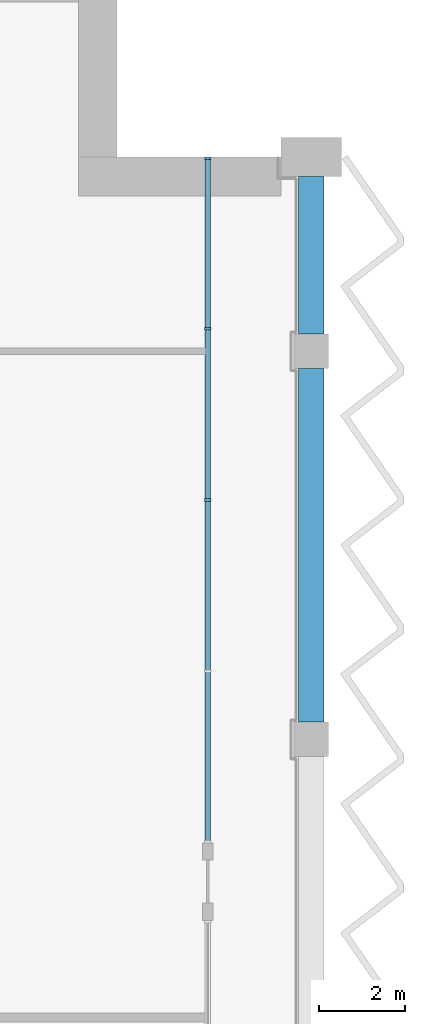
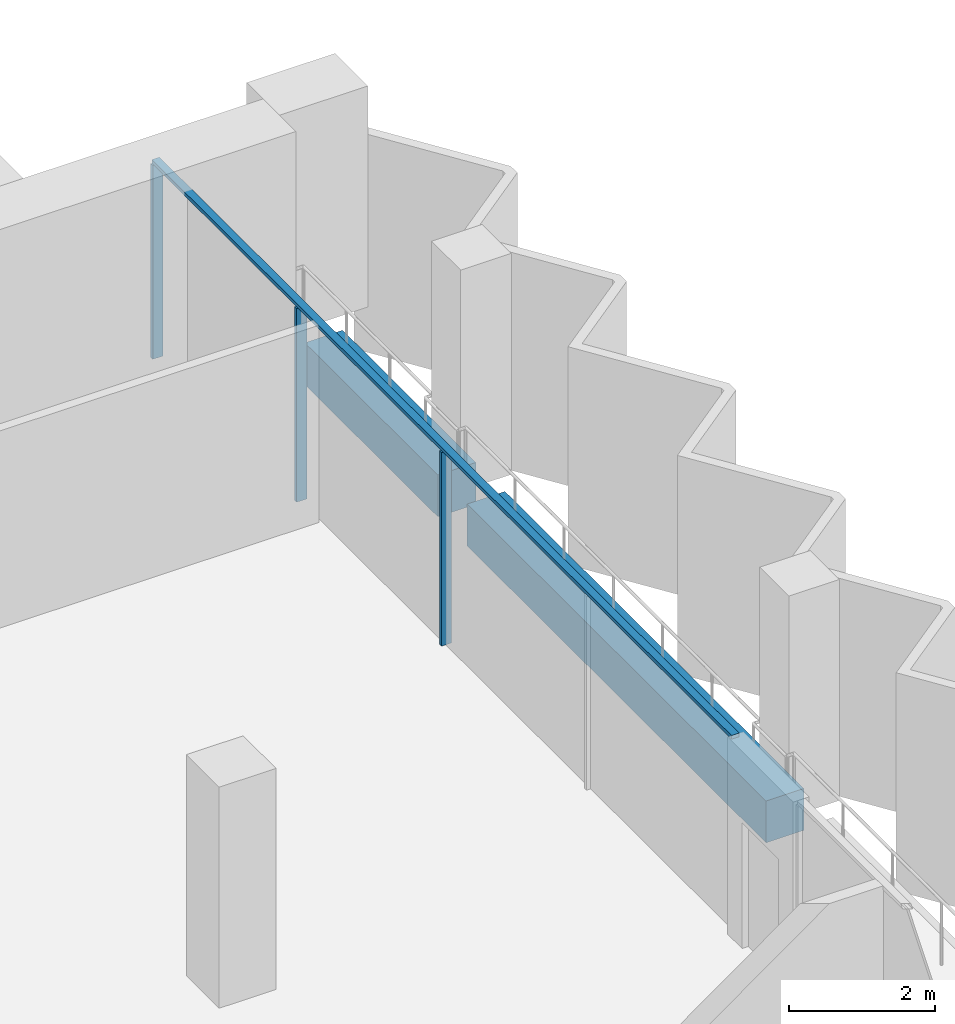
# One storey, part 5 of 14: 4 members, 2 beams, 1 element without a shape of its own.
"""IFC4 building model written with IfcOpenShell, lengths in metres."""

import ifcopenshell
import ifcopenshell.guid

model = None  # the IFC model being written
_history = None  # IfcOwnerHistory: only IFC2X3 demands one
_inside = {}  # id of a spatial element -> (the spatial element, [elements in it])
_under = {}  # id of a project, library or spatial element -> (it, [spatial elements below it])
_declared = {}  # id of a project -> (the project, [libraries it declares])
_typed = {}  # id of a type object -> (the type object, [elements of that type])
_made_of = {}  # id of a material, layer set ... -> (it, [elements and type objects made of it])


def new_model(schema):
    """Start an empty IFC model of exactly this schema.

    Asked for "IFC4X3", IfcOpenShell would pick the latest addendum, in which some entities
    have other attributes; the version numbers below select the first issue.
    IFC2X3 requires an IfcOwnerHistory on every rooted entity: one is made here for all.
    """
    global model, _history
    if schema == "IFC4X3":
        model = ifcopenshell.file(schema_version=(4, 3, 0, 0))
    else:
        model = ifcopenshell.file(schema=schema)
    _inside.clear()
    _under.clear()
    _declared.clear()
    _typed.clear()
    _made_of.clear()
    _history = None
    if model.schema == "IFC2X3":
        org = make("IfcOrganization", Name="unknown")
        user = make(
            "IfcPersonAndOrganization",
            ThePerson=make("IfcPerson", FamilyName="unknown"),
            TheOrganization=org,
        )
        app = make(
            "IfcApplication",
            ApplicationDeveloper=org,
            Version="unknown",
            ApplicationFullName="unknown",
            ApplicationIdentifier="unknown",
        )
        _history = make(
            "IfcOwnerHistory",
            OwningUser=user,
            OwningApplication=app,
            ChangeAction="ADDED",
            CreationDate=0,
        )
    return model


def make(cls, **values):
    """One entity of the class cls with the attributes given. An attribute that is None is left unset."""
    return model.create_entity(
        cls, **{name: value for name, value in values.items() if value is not None}
    )


def rooted(cls, **values):
    """An entity with a GlobalId (a new one), such as an element, a storey or a relation."""
    return make(cls, GlobalId=ifcopenshell.guid.new(), OwnerHistory=_history, **values)


def si_unit(unit_type, name, prefix=None):
    """IfcSIUnit, for example si_unit("LENGTHUNIT", "METRE", prefix="MILLI")."""
    return make("IfcSIUnit", UnitType=unit_type, Prefix=prefix, Name=name)


def assignment(units):
    """IfcUnitAssignment: the units of a project."""
    return None if units is None else make("IfcUnitAssignment", Units=units)


def point(xyz):
    """IfcCartesianPoint."""
    return None if xyz is None else make("IfcCartesianPoint", Coordinates=xyz)


def direction(xyz):
    """IfcDirection."""
    return None if xyz is None else make("IfcDirection", DirectionRatios=xyz)


def frame(location, z_axis=None, x_axis=None):
    """IfcAxis2Placement3D, a coordinate frame: its origin and axes. An axis left out is left unset."""
    return make(
        "IfcAxis2Placement3D",
        Location=point(location),
        Axis=direction(z_axis),
        RefDirection=direction(x_axis),
    )


def frame_2d(location, x_axis=None):
    """IfcAxis2Placement2D, a coordinate frame in the plane: its origin and x axis."""
    return make(
        "IfcAxis2Placement2D", Location=point(location), RefDirection=direction(x_axis)
    )


def origin():
    """The frame at (0, 0, 0) with its axes left unset."""
    return frame((0.0, 0.0, 0.0))


def origin_2d():
    """The frame at (0, 0) in the plane with its x axis left unset."""
    return frame_2d((0.0, 0.0))


def place(relative_to, where):
    """IfcLocalPlacement: puts the frame where relative to a parent placement (None: the world)."""
    return make(
        "IfcLocalPlacement", PlacementRelTo=relative_to, RelativePlacement=where
    )


def context(
    kind, dimensions, precision=None, world=None, true_north=None, identifier=None
):
    """IfcGeometricRepresentationContext, for example the 3D "Model" context."""
    return make(
        "IfcGeometricRepresentationContext",
        ContextIdentifier=identifier,
        ContextType=kind,
        CoordinateSpaceDimension=dimensions,
        Precision=precision,
        WorldCoordinateSystem=world,
        TrueNorth=true_north,
    )


def subcontext(parent, identifier, kind, view, scale=None):
    """IfcGeometricRepresentationSubContext, for example "Body" below "Model"."""
    return make(
        "IfcGeometricRepresentationSubContext",
        ContextIdentifier=identifier,
        ContextType=kind,
        ParentContext=parent,
        TargetScale=scale,
        TargetView=view,
    )


def project(units=None, contexts=None):
    """IfcProject with its units and contexts."""
    return rooted(
        "IfcProject",
        Name="project",
        RepresentationContexts=contexts,
        UnitsInContext=assignment(units),
    )


def spatial(cls, under=None, at=None, **own):
    """A site, building, storey or space (cls), placed at a placement, below another one or the project."""
    s = rooted(cls, ObjectPlacement=at, **own)
    if under is not None:
        _under.setdefault(under.id(), (under, []))[1].append(s)
    return s


def profile(cls, at=None, kind="AREA", **sizes):
    """A parametric profile (cls). Its sizes go by their IFC names, for example OverallWidth=200.0."""
    return make(cls, ProfileType=kind, Position=at, **sizes)


def rectangle(**sizes):
    """IfcRectangleProfileDef."""
    return profile("IfcRectangleProfileDef", **sizes)


def extrude(swept, where, along, depth):
    """IfcExtrudedAreaSolid: the profile swept, set in the frame where, extruded along a direction by depth."""
    return make(
        "IfcExtrudedAreaSolid",
        SweptArea=swept,
        Position=where,
        ExtrudedDirection=direction(along),
        Depth=depth,
    )


def shape(context_of_items, identifier, shape_type, items):
    """IfcShapeRepresentation: the items that make up one representation, for example the "Body"."""
    return make(
        "IfcShapeRepresentation",
        ContextOfItems=context_of_items,
        RepresentationIdentifier=identifier,
        RepresentationType=shape_type,
        Items=items,
    )


def material(Name=None, Category=None):
    """IfcMaterial."""
    return make("IfcMaterial", Name=Name, Category=Category)


def material_profile(
    of_material, cross_section, Name=None, Category=None, Priority=None
):
    """IfcMaterialProfile: a cross section and its material."""
    return make(
        "IfcMaterialProfile",
        Name=Name,
        Material=of_material,
        Profile=cross_section,
        Priority=Priority,
        Category=Category,
    )


def profile_set(profiles, Name=None, composite=None):
    """IfcMaterialProfileSet."""
    return make(
        "IfcMaterialProfileSet",
        Name=Name,
        MaterialProfiles=profiles,
        CompositeProfile=composite,
    )


def made_of(thing, what):
    """Note that an element or type object is made of a material, layer set ...; save() writes the relation."""
    if what is not None:
        _made_of.setdefault(what.id(), (what, []))[1].append(thing)
    return thing


def type_object(cls, material=None, **own):
    """A type object (cls), such as IfcWallType, which elements share."""
    return made_of(rooted(cls, **own), material)


def element(
    cls,
    number,
    at=None,
    inside=None,
    cuts=None,
    type_object=None,
    material=None,
    context=None,
    identifier="Body",
    shape_type=None,
    held_by="IfcProductDefinitionShape",
    body=None,
    shapes=None,
    **own,
):
    """One element of the class cls, such as IfcWall. Its Tag is "e" and its number.

    at: its placement. inside: the storey or other place that contains it. cuts: it is an
    opening in that element (IfcRelVoidsElement). A single representation is given by context,
    identifier, shape_type and body (its items); several are given by shapes. held_by: the class
    of the entity that holds the representations. save() writes the other relations.
    """
    e = rooted(cls, Tag="e%d" % number, ObjectPlacement=at, **own)
    if body is not None:
        shapes = [shape(context, identifier, shape_type, body)]
    if shapes is not None:
        e.Representation = make(held_by, Representations=shapes)
    if inside is not None:
        _inside.setdefault(inside.id(), (inside, []))[1].append(e)
    if cuts is not None:
        rooted(
            "IfcRelVoidsElement", RelatingBuildingElement=cuts, RelatedOpeningElement=e
        )
    if type_object is not None:
        _typed.setdefault(type_object.id(), (type_object, []))[1].append(e)
    return made_of(e, material)


def aggregate(whole, parts):
    """IfcRelAggregates: a whole, such as a stair, and the parts it consists of."""
    return rooted("IfcRelAggregates", RelatingObject=whole, RelatedObjects=parts)


def save(model, path):
    """Write the relations noted so far, then the file.

    IfcRelAggregates (storeys below a building ...), IfcRelContainedInSpatialStructure (elements
    in a storey), IfcRelDefinesByType, IfcRelAssociatesMaterial and IfcRelDeclares: one each for
    every whole, place, type object, material and project.
    """
    for whole, parts in _under.values():
        aggregate(whole, parts)
    for where, things in _inside.values():
        rooted(
            "IfcRelContainedInSpatialStructure",
            RelatedElements=things,
            RelatingStructure=where,
        )
    for kind, things in _typed.values():
        rooted("IfcRelDefinesByType", RelatedObjects=things, RelatingType=kind)
    for what, things in _made_of.values():
        rooted("IfcRelAssociatesMaterial", RelatedObjects=things, RelatingMaterial=what)
    for by, libraries in _declared.values():
        rooted("IfcRelDeclares", RelatingContext=by, RelatedDefinitions=libraries)
    model.write(path)


model = new_model("IFC4")

# Units and contexts
model_context = context("Model", 3, precision=1e-05, world=origin(), true_north=direction((0.0, 1.0)))
body_context = subcontext(model_context, "Body", "Model", "MODEL_VIEW")
ifc_project = project(units=[si_unit("LENGTHUNIT", "METRE"), si_unit("AREAUNIT", "SQUARE_METRE"), si_unit("VOLUMEUNIT", "CUBIC_METRE"), si_unit("PLANEANGLEUNIT", "RADIAN"), si_unit("MASSUNIT", "GRAM", prefix="KILO")], contexts=[model_context])

# Site, building, storey
site_placement = place(None, origin())
site = spatial("IfcSite", under=ifc_project, at=site_placement, CompositionType="ELEMENT")
building_placement = place(site_placement, origin())
building = spatial("IfcBuilding", under=site, at=building_placement, Name="Hunhe Ridgeline Campus", CompositionType="ELEMENT")
storey_placement = place(building_placement, frame((0.0, 0.0, 291.89990234375)))
storey = spatial("IfcBuildingStorey", under=building, at=storey_placement, Name="L75", CompositionType="ELEMENT", Elevation=291.89990234375)

# Curtain wall, members
ifc_material_1 = material(Name="Aluminium 6063", Category="aluminium")
curtain_wall_type = type_object("IfcCurtainWallType", Name="Curtain wall CW-1", PredefinedType="NOTDEFINED", material=ifc_material_1)
curtain_wall_placement = place(storey_placement, origin())
curtain_wall = element("IfcCurtainWall", 1, at=curtain_wall_placement, inside=storey, type_object=curtain_wall_type, Name="Curtain wall 12", PredefinedType="NOTDEFINED")
ifc_material_profile_1 = material_profile(ifc_material_1, rectangle(XDim=0.159912109375, YDim=0.06005859375, at=origin_2d()))
ifc_profile_set_1 = profile_set([ifc_material_profile_1], Name="Aluminium 6063")
member_type_1 = type_object("IfcMemberType", Name="CW-1 aluminium mullion", PredefinedType="MULLION", material=ifc_profile_set_1)
member_1_placement = place(storey_placement, frame((51.59912109375, 86.55029296875, 0.0), z_axis=(0.0, 0.0, 1.0), x_axis=(-1.0, 0.0, 0.0)))
member_1 = element("IfcMember", 2, at=member_1_placement, type_object=member_type_1, Name="CW-1 mullion 3", PredefinedType="MULLION", context=body_context, shape_type="SweptSolid", body=[
    extrude(rectangle(XDim=0.159912109375, YDim=0.06005859375, at=origin_2d()), origin(), (0.0, 0.0, 1.0), 3.239990234375),
])
member_2_placement = place(storey_placement, frame((51.59912109375, 90.525146484375, 0.0), z_axis=(0.0, 0.0, 1.0), x_axis=(-1.0, 0.0, 0.0)))
member_2 = element("IfcMember", 3, at=member_2_placement, type_object=member_type_1, Name="CW-1 mullion 4", PredefinedType="MULLION", context=body_context, shape_type="SweptSolid", body=[
    extrude(rectangle(XDim=0.159912109375, YDim=0.06005859375, at=origin_2d()), origin(), (0.0, 0.0, 1.0), 3.239990234375),
])
member_3_placement = place(storey_placement, frame((51.59912109375, 94.469970703125, 0.0), z_axis=(0.0, 0.0, 1.0), x_axis=(-1.0, 0.0, 0.0)))
member_3 = element("IfcMember", 4, at=member_3_placement, type_object=member_type_1, Name="CW-1 mullion 5", PredefinedType="MULLION", context=body_context, shape_type="SweptSolid", body=[
    extrude(rectangle(XDim=0.159912109375, YDim=0.06005859375, at=origin_2d()), origin(), (0.0, 0.0, 1.0), 3.239990234375),
])
ifc_material_profile_2 = material_profile(ifc_material_1, rectangle(XDim=0.1201171875, YDim=0.06005859375, at=origin_2d()))
ifc_profile_set_2 = profile_set([ifc_material_profile_2], Name="Aluminium 6063")
member_type_2 = type_object("IfcMemberType", Name="CW-1 aluminium transom", PredefinedType="USERDEFINED", material=ifc_profile_set_2)
member_4_placement = place(storey_placement, frame((51.59912109375, 78.6005859375, 3.27001953125), z_axis=(0.0, 1.0, 0.0), x_axis=(-1.0, 0.0, 0.0)))
member_4 = element("IfcMember", 5, at=member_4_placement, type_object=member_type_2, Name="CW-1 transom 1", ObjectType="TRANSOM", PredefinedType="USERDEFINED", context=body_context, shape_type="SweptSolid", body=[
    extrude(rectangle(XDim=0.1201171875, YDim=0.06005859375, at=origin_2d()), origin(), (0.0, 0.0, 1.0), 15.8994140625),
])
aggregate(curtain_wall, [member_4, member_1, member_2, member_3])

# Beams
ifc_material_2 = material(Name="Concrete C50", Category="concrete")
ifc_material_profile_3 = material_profile(ifc_material_2, rectangle(XDim=0.60009765625, YDim=0.699951171875, at=origin_2d()))
ifc_profile_set_3 = profile_set([ifc_material_profile_3], Name="Concrete C50")
beam_type = type_object("IfcBeamType", Name="RC spandrel beam 600x700 Concrete C50", PredefinedType="SPANDREL", material=ifc_profile_set_3)
beam_1_placement = place(storey_placement, frame((54.0, 81.39990234375, -0.599853515625), z_axis=(0.0, 1.0, 0.0), x_axis=(-1.0, 0.0, 0.0)))
element("IfcBeam", 6, at=beam_1_placement, inside=storey, type_object=beam_type, Name="Spandrel beam B4-15 L75", PredefinedType="SPANDREL", context=body_context, shape_type="SweptSolid", body=[
    extrude(rectangle(XDim=0.60009765625, YDim=0.699951171875, at=origin_2d()), origin(), (0.0, 0.0, 1.0), 8.2001953125),
])
beam_2_placement = place(storey_placement, frame((54.0, 90.39990234375, -0.599853515625), z_axis=(0.0, 1.0, 0.0), x_axis=(-1.0, 0.0, 0.0)))
element("IfcBeam", 7, at=beam_2_placement, inside=storey, type_object=beam_type, Name="Spandrel beam B4-16 L75", PredefinedType="SPANDREL", context=body_context, shape_type="SweptSolid", body=[
    extrude(rectangle(XDim=0.60009765625, YDim=0.699951171875, at=origin_2d()), origin(), (0.0, 0.0, 1.0), 3.650146484375),
])

save(model, "model.ifc")
